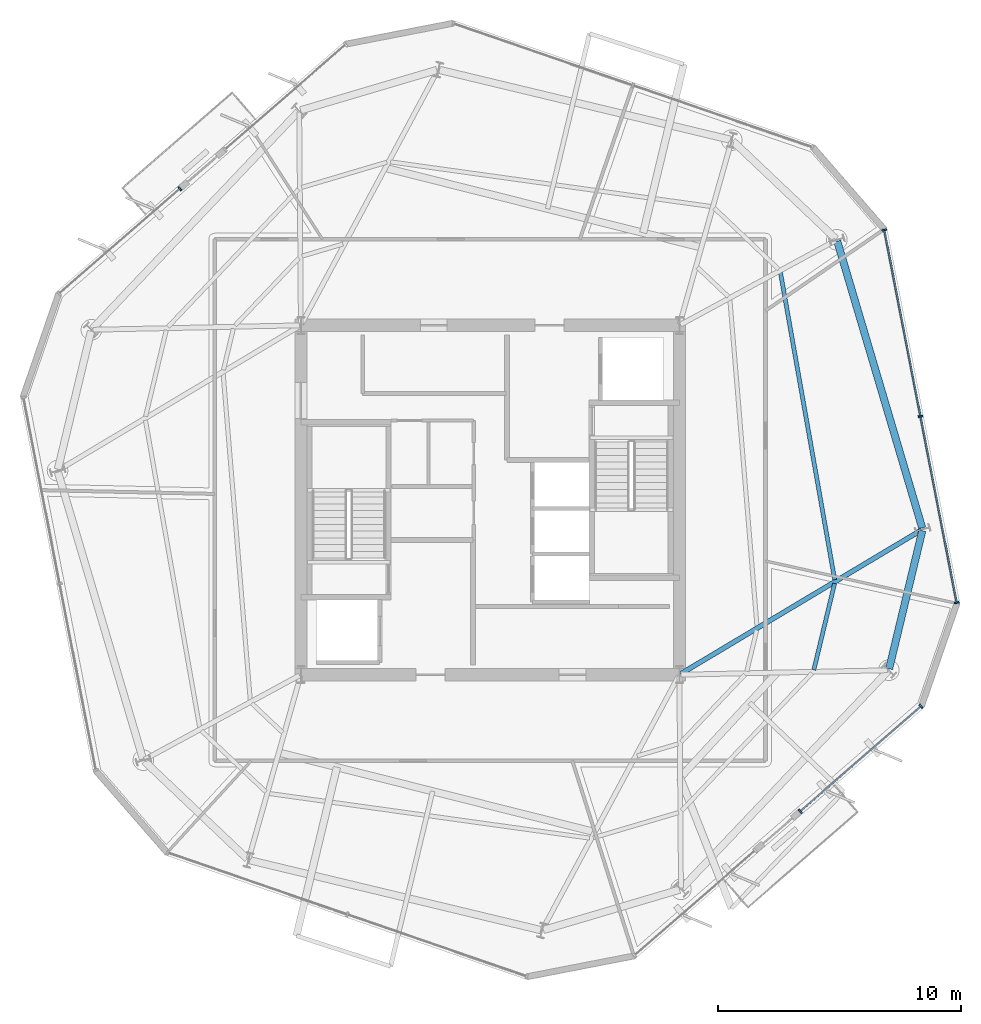
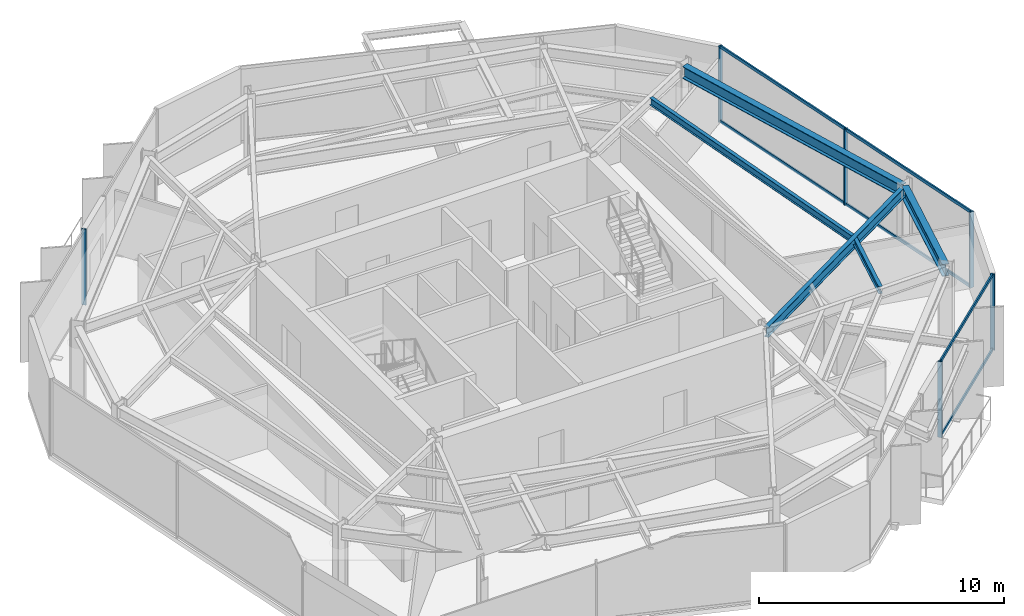
# One storey, part 4 of 11: 12 members, 5 beams, 3 elements without a shape of their own.
"""IFC4 building model written with IfcOpenShell, lengths in metres."""

from ifc_helpers import new_model, si_unit, direction, frame, origin, origin_2d, place, context, subcontext, project, spatial, rectangle, i_section, extrude, material, layer, layer_set, material_profile, profile_set, type_object, element, aggregate, save


model = new_model("IFC4")

# Units and contexts
model_context = context("Model", 3, precision=1e-05, world=origin(), true_north=direction((0.0, 1.0)))
body_context = subcontext(model_context, "Body", "Model", "MODEL_VIEW")
ifc_project = project(units=[si_unit("LENGTHUNIT", "METRE"), si_unit("AREAUNIT", "SQUARE_METRE"), si_unit("VOLUMEUNIT", "CUBIC_METRE"), si_unit("PLANEANGLEUNIT", "RADIAN"), si_unit("MASSUNIT", "GRAM", prefix="KILO")], contexts=[model_context])

# Site, building, storey
site_placement = place(None, origin())
site = spatial("IfcSite", under=ifc_project, at=site_placement, CompositionType="ELEMENT")
building_placement = place(site_placement, origin())
building = spatial("IfcBuilding", under=site, at=building_placement, Name="Kranzbogen Civic Tower", CompositionType="ELEMENT")
storey_placement = place(building_placement, frame((0.0, 0.0, 188.800048828125)))
storey = spatial("IfcBuildingStorey", under=building, at=storey_placement, Name="L45", CompositionType="ELEMENT", Elevation=188.800048828125)

# Curtain wall, member
ifc_material_1 = material(Name="Pale Anodised Aluminium", Category="aluminium")
ifc_layer = layer(ifc_material_1, 0.219970703125, Name="Pale Anodised Aluminium")
ifc_layer_set = layer_set([ifc_layer], Name="Pale Anodised Aluminium")
curtain_wall_type = type_object("IfcCurtainWallType", Name="Zone 3 Stick Curtain Wall System CW-04", PredefinedType="USERDEFINED", material=ifc_layer_set)
curtain_wall_1_placement = place(storey_placement, origin())
curtain_wall_1 = element("IfcCurtainWall", 1, at=curtain_wall_1_placement, inside=storey, type_object=curtain_wall_type, Name="L45 curtain wall CW-L45-F2-S2", ObjectType="STICK CURTAIN WALL", PredefinedType="USERDEFINED")
ifc_material_profile_1 = material_profile(ifc_material_1, rectangle(XDim=0.070068359375, YDim=0.199951171875, at=origin_2d()), Name="ALU-M 70x200")
ifc_profile_set_1 = profile_set([ifc_material_profile_1], Name="Pale Anodised Aluminium")
member_type_1 = type_object("IfcMemberType", Name="Curtain Wall Mullion ALU-M 70x200", PredefinedType="MULLION", material=ifc_profile_set_1)
member_1_placement = place(storey_placement, frame((12.21630859375, 37.832275390625, 0.0), z_axis=(0.0, 0.0, 1.0), x_axis=(-0.754741368162, -0.65602245936, 0.0)))
member_1 = element("IfcMember", 2, at=member_1_placement, type_object=member_type_1, Name="CW-04 mullion 1", PredefinedType="MULLION", context=body_context, shape_type="SweptSolid", body=[
    extrude(rectangle(XDim=0.070068359375, YDim=0.199951171875, at=origin_2d()), origin(), (0.0, 0.0, 1.0), 3.780029296875),
])
aggregate(curtain_wall_1, [member_1])

# Curtain wall, members
curtain_wall_2_placement = place(storey_placement, origin())
curtain_wall_2 = element("IfcCurtainWall", 3, at=curtain_wall_2_placement, inside=storey, type_object=curtain_wall_type, Name="L45 curtain wall CW-L45-F5-S2", ObjectType="STICK CURTAIN WALL", PredefinedType="USERDEFINED")
member_2_placement = place(storey_placement, frame((37.78369140625, 12.167724609375, 0.0), z_axis=(0.0, 0.0, 1.0), x_axis=(0.754741368162, 0.65602245936, 0.0)))
member_2 = element("IfcMember", 4, at=member_2_placement, type_object=member_type_1, Name="CW-04 mullion 1", PredefinedType="MULLION", context=body_context, shape_type="SweptSolid", body=[
    extrude(rectangle(XDim=0.070068359375, YDim=0.199951171875, at=origin_2d()), origin(), (0.0, 0.0, 1.0), 3.780029296875),
])
member_3_placement = place(storey_placement, frame((42.761474609375, 16.494384765625, 0.0), z_axis=(0.0, 0.0, 1.0), x_axis=(0.754741368162, 0.65602245936, 0.0)))
member_3 = element("IfcMember", 5, at=member_3_placement, type_object=member_type_1, Name="CW-04 mullion 2", PredefinedType="MULLION", context=body_context, shape_type="SweptSolid", body=[
    extrude(rectangle(XDim=0.070068359375, YDim=0.199951171875, at=origin_2d()), origin(), (0.0, 0.0, 1.0), 3.780029296875),
])

curtain_wall_3_placement = place(storey_placement, origin())
curtain_wall_3 = element("IfcCurtainWall", 6, at=curtain_wall_3_placement, inside=storey, type_object=curtain_wall_type, Name="L45 curtain wall CW-L45-F6", ObjectType="STICK CURTAIN WALL", PredefinedType="USERDEFINED")
member_4_placement = place(storey_placement, frame((44.232177734375, 20.767333984375, 0.0), z_axis=(0.0, 0.0, 1.0), x_axis=(-0.190787871215, 0.981631289333, 0.0)))
member_4 = element("IfcMember", 7, at=member_4_placement, type_object=member_type_1, Name="CW-04 mullion 1", PredefinedType="MULLION", context=body_context, shape_type="SweptSolid", body=[
    extrude(rectangle(XDim=0.070068359375, YDim=0.199951171875, at=origin_2d()), origin(), (0.0, 0.0, 1.0), 3.780029296875),
])
member_5_placement = place(storey_placement, frame((42.739501953125, 28.447998046875, 0.0), z_axis=(0.0, 0.0, 1.0), x_axis=(-0.190787871215, 0.981631289333, 0.0)))
member_5 = element("IfcMember", 8, at=member_5_placement, type_object=member_type_1, Name="CW-04 mullion 2", PredefinedType="MULLION", context=body_context, shape_type="SweptSolid", body=[
    extrude(rectangle(XDim=0.070068359375, YDim=0.199951171875, at=origin_2d()), origin(), (0.0, 0.0, 1.0), 3.780029296875),
])
member_6_placement = place(storey_placement, frame((41.246826171875, 36.128662109375, 0.0), z_axis=(0.0, 0.0, 1.0), x_axis=(-0.190787871215, 0.981631289333, 0.0)))
member_6 = element("IfcMember", 9, at=member_6_placement, type_object=member_type_1, Name="CW-04 mullion 3", PredefinedType="MULLION", context=body_context, shape_type="SweptSolid", body=[
    extrude(rectangle(XDim=0.070068359375, YDim=0.199951171875, at=origin_2d()), origin(), (0.0, 0.0, 1.0), 3.780029296875),
])

# Member
ifc_material_profile_2 = material_profile(ifc_material_1, rectangle(XDim=0.070068359375, YDim=0.14990234375, at=origin_2d()), Name="ALU-T 70x150")
ifc_profile_set_2 = profile_set([ifc_material_profile_2], Name="Pale Anodised Aluminium")
member_type_2 = type_object("IfcMemberType", Name="Curtain Wall Transom ALU-T 70x150", PredefinedType="USERDEFINED", material=ifc_profile_set_2)
member_7_placement = place(storey_placement, frame((37.806396484375, 12.187255859375, 0.030029296875), z_axis=(0.754731775438, 0.656033495444, 0.0), x_axis=(-0.656033495444, 0.754731775438, 0.0)))
member_7 = element("IfcMember", 10, at=member_7_placement, type_object=member_type_2, Name="CW-04 transom 1.1", ObjectType="TRANSOM", PredefinedType="USERDEFINED", context=body_context, shape_type="SweptSolid", body=[
    extrude(rectangle(XDim=0.070068359375, YDim=0.14990234375, at=origin_2d()), origin(), (0.0, 0.0, 1.0), 6.53515625),
])

member_8_placement = place(storey_placement, frame((37.806396484375, 12.187255859375, 3.75), z_axis=(0.754731775438, 0.656033495444, 0.0), x_axis=(-0.656033495444, 0.754731775438, 0.0)))
member_8 = element("IfcMember", 11, at=member_8_placement, type_object=member_type_2, Name="CW-04 transom 1.2", ObjectType="TRANSOM", PredefinedType="USERDEFINED", context=body_context, shape_type="SweptSolid", body=[
    extrude(rectangle(XDim=0.070068359375, YDim=0.14990234375, at=origin_2d()), origin(), (0.0, 0.0, 1.0), 6.53515625),
])

aggregate(curtain_wall_2, [member_2, member_3, member_7, member_8])

member_9_placement = place(storey_placement, frame((44.2265625, 20.796875, 0.030029296875), z_axis=(-0.190804011394, 0.981628152223, 0.0), x_axis=(-0.981628152223, -0.190804011394, 0.0)))
member_9 = element("IfcMember", 12, at=member_9_placement, type_object=member_type_2, Name="CW-04 transom 1.1", ObjectType="TRANSOM", PredefinedType="USERDEFINED", context=body_context, shape_type="SweptSolid", body=[
    extrude(rectangle(XDim=0.070068359375, YDim=0.14990234375, at=origin_2d()), origin(), (0.0, 0.0, 1.0), 7.76416015625),
])

member_10_placement = place(storey_placement, frame((44.2265625, 20.796875, 3.75), z_axis=(-0.190804011394, 0.981628152223, 0.0), x_axis=(-0.981628152223, -0.190804011394, 0.0)))
member_10 = element("IfcMember", 13, at=member_10_placement, type_object=member_type_2, Name="CW-04 transom 1.2", ObjectType="TRANSOM", PredefinedType="USERDEFINED", context=body_context, shape_type="SweptSolid", body=[
    extrude(rectangle(XDim=0.070068359375, YDim=0.14990234375, at=origin_2d()), origin(), (0.0, 0.0, 1.0), 7.76416015625),
])

member_11_placement = place(storey_placement, frame((42.73388671875, 28.4775390625, 0.030029296875), z_axis=(-0.190804011394, 0.981628152223, 0.0), x_axis=(-0.981628152223, -0.190804011394, 0.0)))
member_11 = element("IfcMember", 14, at=member_11_placement, type_object=member_type_2, Name="CW-04 transom 2.1", ObjectType="TRANSOM", PredefinedType="USERDEFINED", context=body_context, shape_type="SweptSolid", body=[
    extrude(rectangle(XDim=0.070068359375, YDim=0.14990234375, at=origin_2d()), origin(), (0.0, 0.0, 1.0), 7.76416015625),
])

member_12_placement = place(storey_placement, frame((42.73388671875, 28.4775390625, 3.75), z_axis=(-0.190804011394, 0.981628152223, 0.0), x_axis=(-0.981628152223, -0.190804011394, 0.0)))
member_12 = element("IfcMember", 15, at=member_12_placement, type_object=member_type_2, Name="CW-04 transom 2.2", ObjectType="TRANSOM", PredefinedType="USERDEFINED", context=body_context, shape_type="SweptSolid", body=[
    extrude(rectangle(XDim=0.070068359375, YDim=0.14990234375, at=origin_2d()), origin(), (0.0, 0.0, 1.0), 7.76416015625),
])

aggregate(curtain_wall_3, [member_4, member_5, member_6, member_9, member_10, member_11, member_12])

# Beams
ifc_material_2 = material(Name="Steel S355", Category="steel")
ifc_material_profile_3 = material_profile(ifc_material_2, i_section(OverallWidth=0.300048828125, OverallDepth=0.60009765625, WebThickness=0.015380859375, FlangeThickness=0.030029296875, at=origin_2d()), Name="HEB 600")
ifc_profile_set_3 = profile_set([ifc_material_profile_3], Name="Steel S355")
beam_type_1 = type_object("IfcBeamType", Name="Perimeter Tube Spandrel Beam HEB 600", PredefinedType="SPANDREL", material=ifc_profile_set_3)
beam_1_placement = place(storey_placement, frame((41.447021484375, 18.0419921875, 3.47998046875), z_axis=(0.233554380434, 0.972343741369, 0.0), x_axis=(-0.972343741369, 0.233554380434, 0.0)))
element("IfcBeam", 16, at=beam_1_placement, inside=storey, type_object=beam_type_1, Name="L45 perimeter spandrel beam 05", PredefinedType="SPANDREL", context=body_context, shape_type="SweptSolid", body=[
    extrude(i_section(OverallWidth=0.300048828125, OverallDepth=0.60009765625, WebThickness=0.015380859375, FlangeThickness=0.030029296875, at=origin_2d()), origin(), (0.0, 0.0, 1.0), 5.852783203125),
])
beam_2_placement = place(storey_placement, frame((42.81103515625, 23.84912109375, 3.47998046875), z_axis=(-0.284064048956, 0.958805306666, 0.0), x_axis=(-0.958805306666, -0.284064048956, 0.0)))
element("IfcBeam", 17, at=beam_2_placement, inside=storey, type_object=beam_type_1, Name="L45 perimeter spandrel beam 06", PredefinedType="SPANDREL", context=body_context, shape_type="SweptSolid", body=[
    extrude(i_section(OverallWidth=0.300048828125, OverallDepth=0.60009765625, WebThickness=0.015380859375, FlangeThickness=0.030029296875, at=origin_2d()), origin(), (0.0, 0.0, 1.0), 12.32470703125),
])
ifc_material_profile_4 = material_profile(ifc_material_2, i_section(OverallWidth=0.199951171875, OverallDepth=0.5, WebThickness=0.01025390625, FlangeThickness=0.01611328125, at=origin_2d()), Name="IPE 500")
ifc_profile_set_4 = profile_set([ifc_material_profile_4], Name="Steel S355")
beam_type_2 = type_object("IfcBeamType", Name="Radial Tower Floor Girder IPE 500", PredefinedType="BEAM", material=ifc_profile_set_4)
beam_3_placement = place(storey_placement, frame((42.77587890625, 23.760009765625, 3.530029296875), z_axis=(-0.858458551809, -0.512882944565, 0.0), x_axis=(0.512882944565, -0.858458551809, 0.0)))
element("IfcBeam", 18, at=beam_3_placement, inside=storey, type_object=beam_type_2, Name="L45 radial floor girder 06", PredefinedType="BEAM", context=body_context, shape_type="SweptSolid", body=[
    extrude(i_section(OverallWidth=0.199951171875, OverallDepth=0.5, WebThickness=0.01025390625, FlangeThickness=0.01611328125, at=origin_2d()), origin(), (0.0, 0.0, 1.0), 11.56005859375),
])
ifc_material_profile_5 = material_profile(ifc_material_2, i_section(OverallWidth=0.169921875, OverallDepth=0.360107421875, WebThickness=0.008056640625, FlangeThickness=0.0126953125, at=origin_2d()), Name="IPE 360")
ifc_profile_set_5 = profile_set([ifc_material_profile_5], Name="Steel S355")
beam_type_3 = type_object("IfcBeamType", Name="Secondary Composite Floor Joist IPE 360", PredefinedType="JOIST", material=ifc_profile_set_5)
beam_4_placement = place(storey_placement, frame((38.343994140625, 17.99609375, 3.599853515625), z_axis=(0.233534367714, 0.972348548154, 0.0), x_axis=(-0.972348548154, 0.233534367714, 0.0)))
element("IfcBeam", 19, at=beam_4_placement, inside=storey, type_object=beam_type_3, Name="L45 secondary floor joist 1.05", PredefinedType="JOIST", context=body_context, shape_type="SweptSolid", body=[
    extrude(i_section(OverallWidth=0.169921875, OverallDepth=0.360107421875, WebThickness=0.008056640625, FlangeThickness=0.0126953125, at=origin_2d()), origin(), (0.0, 0.0, 1.0), 3.6611328125),
])
beam_5_placement = place(storey_placement, frame((39.2041015625, 21.712890625, 3.599853515625), z_axis=(-0.173805911364, 0.984779927281, 0.0), x_axis=(-0.984779927281, -0.173805911364, 0.0)))
element("IfcBeam", 20, at=beam_5_placement, inside=storey, type_object=beam_type_3, Name="L45 secondary floor joist 1.06", PredefinedType="JOIST", context=body_context, shape_type="SweptSolid", body=[
    extrude(i_section(OverallWidth=0.169921875, OverallDepth=0.360107421875, WebThickness=0.008056640625, FlangeThickness=0.0126953125, at=origin_2d()), origin(), (0.0, 0.0, 1.0), 12.85986328125),
])

save(model, "model.ifc")
